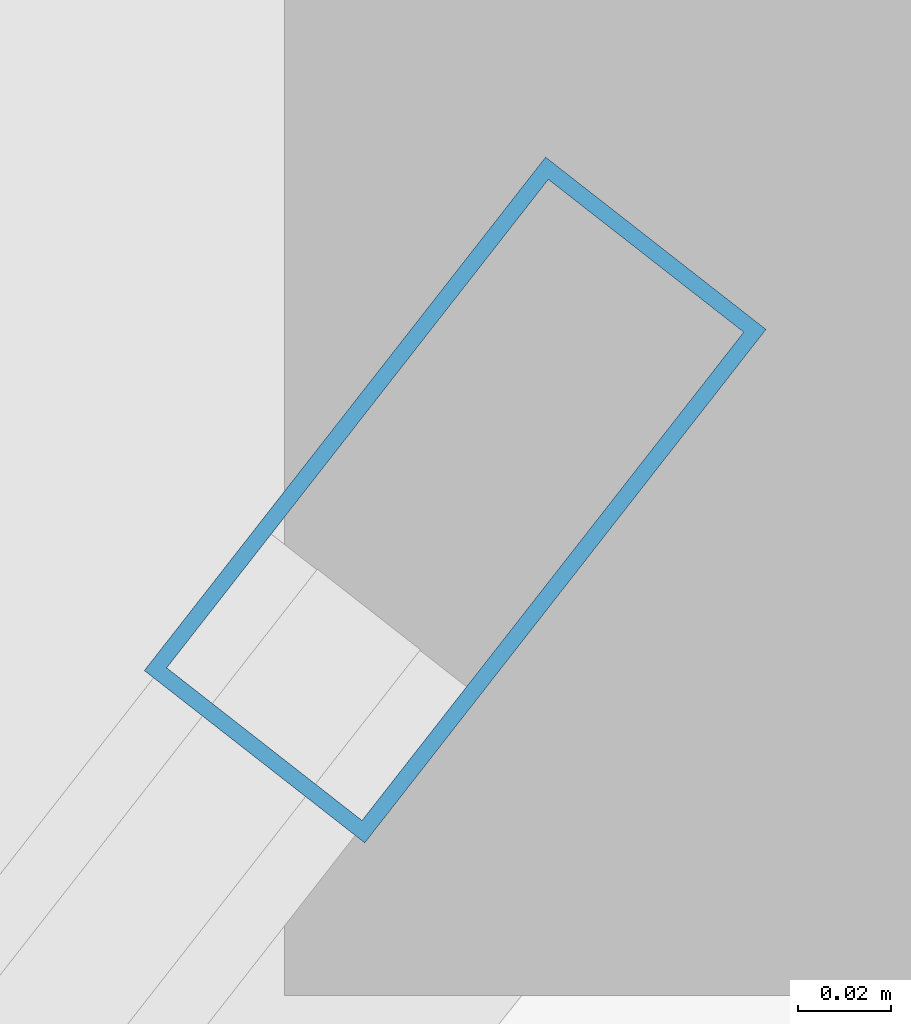
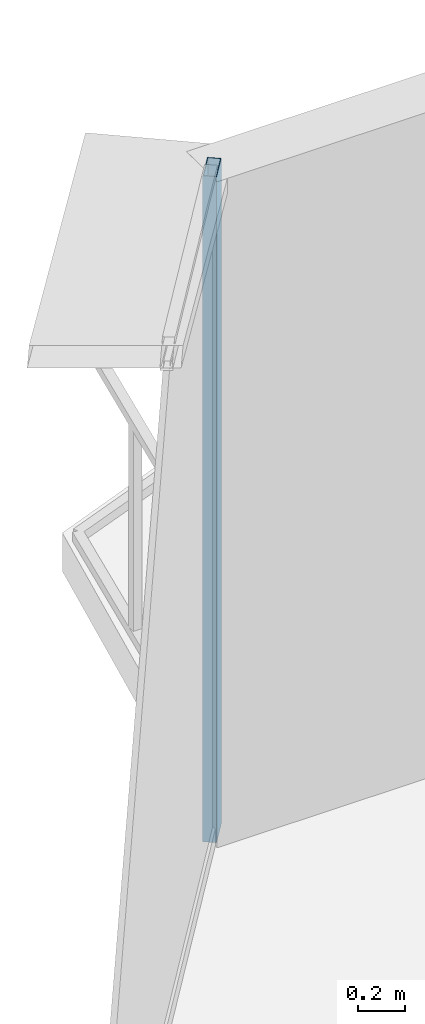
# One storey, part 19 of 36: 1 member, 1 element without a shape of its own.
"""IFC4 building model written with IfcOpenShell, lengths in metres."""

from ifc_helpers import new_model, si_unit, direction, frame, origin, origin_2d, place, context, subcontext, project, spatial, hollow_rectangle, extrude, source, transform, mapped, material, layer, layer_set, material_profile, profile_set, type_object, element, aggregate, save


model = new_model("IFC4")

# Units and contexts
model_context = context("Model", 3, precision=1e-05, world=origin(), true_north=direction((0.0, 1.0)))
body_context = subcontext(model_context, "Body", "Model", "MODEL_VIEW")
ifc_project = project(units=[si_unit("LENGTHUNIT", "METRE"), si_unit("AREAUNIT", "SQUARE_METRE"), si_unit("VOLUMEUNIT", "CUBIC_METRE"), si_unit("PLANEANGLEUNIT", "RADIAN"), si_unit("MASSUNIT", "GRAM", prefix="KILO"), si_unit("THERMODYNAMICTEMPERATUREUNIT", "KELVIN"), si_unit("POWERUNIT", "WATT")], contexts=[model_context])

# Site, building, storey
site_placement = place(None, origin())
site = spatial("IfcSite", under=ifc_project, at=site_placement, CompositionType="ELEMENT")
building_placement = place(site_placement, origin())
building = spatial("IfcBuilding", under=site, at=building_placement, Name="Yunzhuo Pagoda Commons", CompositionType="ELEMENT")
storey_placement = place(building_placement, frame((0.0, 0.0, 244.530029296875)))
storey = spatial("IfcBuildingStorey", under=building, at=storey_placement, Name="L61", CompositionType="ELEMENT", Elevation=244.530029296875)

# Curtain wall, member
ifc_material = material(Name="Anodized aluminium 6063-T6", Category="aluminium")
ifc_layer = layer(ifc_material, 0.139892578125)
ifc_layer_set = layer_set([ifc_layer], Name="Anodized aluminium 6063-T6")
curtain_wall_type = type_object("IfcCurtainWallType", Name="CW-HI High-Zone Ribbon Curtain Wall", PredefinedType="NOTDEFINED", material=ifc_layer_set)
curtain_wall_placement = place(storey_placement, origin())
curtain_wall = element("IfcCurtainWall", 1, at=curtain_wall_placement, inside=storey, type_object=curtain_wall_type, Name="L61 curtain wall CW-L61-F3B1", PredefinedType="NOTDEFINED")
ifc_material_profile = material_profile(ifc_material, hollow_rectangle(XDim=0.06005859375, YDim=0.139892578125, WallThickness=0.00341796875, at=origin_2d()), Name="Anodized aluminium 6063-T6")
ifc_profile_set = profile_set([ifc_material_profile], Name="Anodized aluminium 6063-T6")
member_type = type_object("IfcMemberType", Name="CW-HI-M Mullion RHS 140x60x3.5", PredefinedType="MULLION", material=ifc_profile_set)
shared_shape = source(origin(), body_context, "Body", "SweptSolid", [
    extrude(hollow_rectangle(XDim=0.06005859375, YDim=0.139892578125, WallThickness=0.00341796875, at=origin_2d()), origin(), (0.0, 0.0, 1.0), 3.469970703125),
])
member_placement = place(storey_placement, frame((44.113037109375, 79.776123046875, 0.0), z_axis=(0.0, 0.0, 1.0), x_axis=(0.787911077131, -0.615789034114, 0.0)))
member = element("IfcMember", 2, at=member_placement, type_object=member_type, Name="CW mullion 1", PredefinedType="MULLION", context=body_context, shape_type="MappedRepresentation", body=[
    mapped(shared_shape, transform((0.0, 0.0, 0.0), scale=1.0)),
])
aggregate(curtain_wall, [member])

save(model, "model.ifc")
